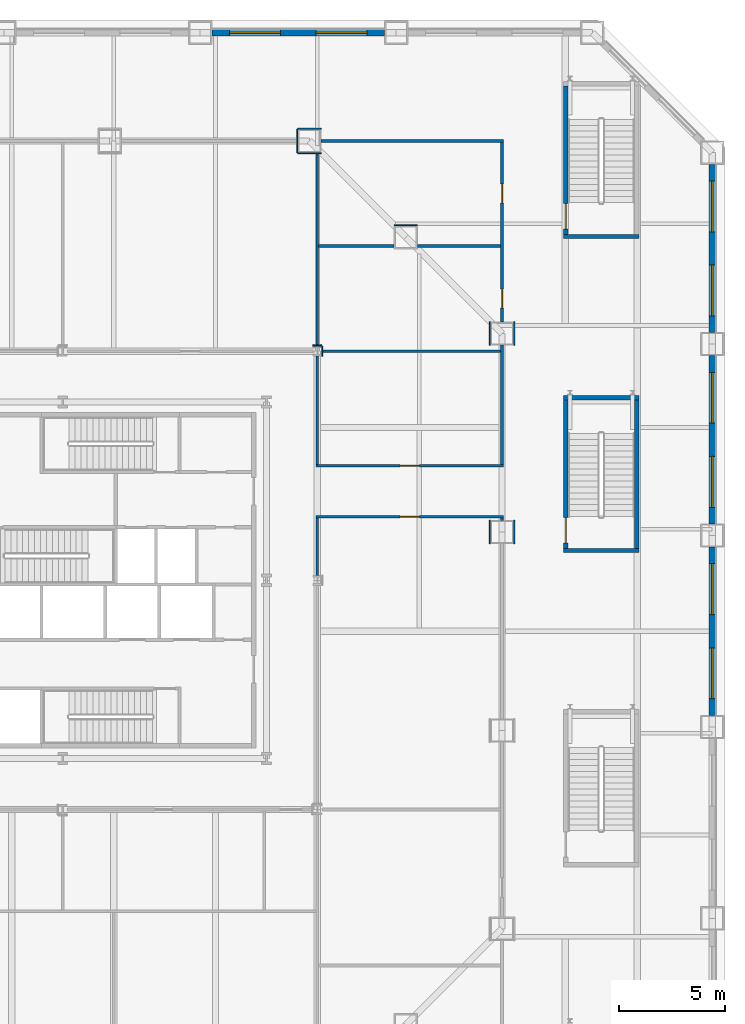
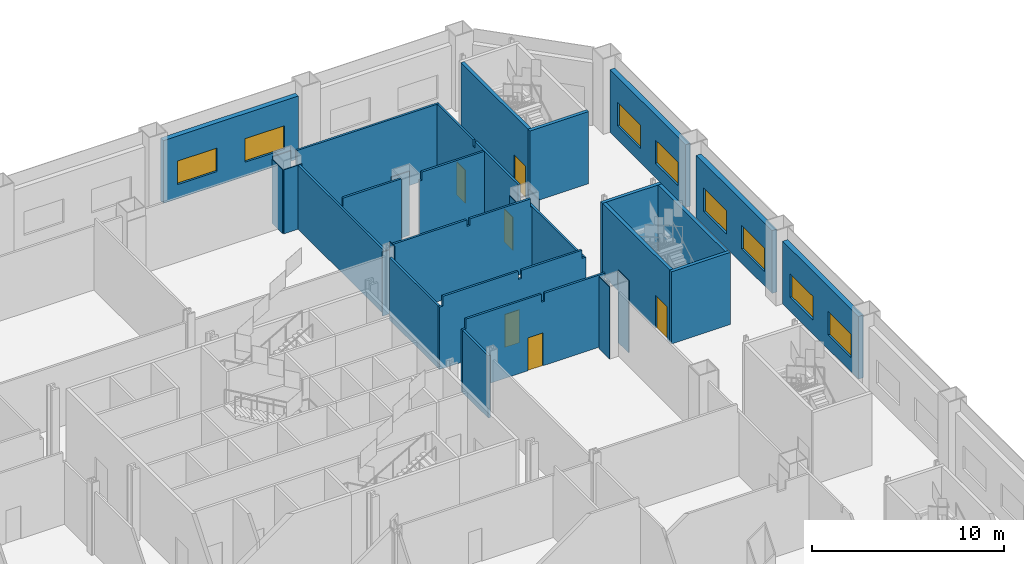
# One storey, part 18 of 26: 32 walls, 8 windows, 6 doors, 14 openings.
"""IFC4 building model written with IfcOpenShell, lengths in metres."""

from ifc_helpers import new_model, si_unit, direction, frame, frame_2d, origin, place, context, subcontext, project, spatial, polyline, rectangle, outline, extrude, material, layer, layer_set, type_object, element, fill, save


model = new_model("IFC4")

# Units and contexts
model_context = context("Model", 3, precision=1e-05, world=origin(), true_north=direction((0.0, 1.0)))
body_context = subcontext(model_context, "Body", "Model", "MODEL_VIEW")
ifc_project = project(units=[si_unit("LENGTHUNIT", "METRE"), si_unit("AREAUNIT", "SQUARE_METRE"), si_unit("VOLUMEUNIT", "CUBIC_METRE"), si_unit("PLANEANGLEUNIT", "RADIAN"), si_unit("MASSUNIT", "GRAM", prefix="KILO")], contexts=[model_context])

# Site, building, storey
site_placement = place(None, origin())
site = spatial("IfcSite", under=ifc_project, at=site_placement, CompositionType="ELEMENT")
building_placement = place(site_placement, origin())
building = spatial("IfcBuilding", under=site, at=building_placement, Name="Cairn Pilgrim Tower", CompositionType="ELEMENT")
storey_placement = place(building_placement, frame((0.0, 0.0, 25.800048828125)))
storey = spatial("IfcBuildingStorey", under=building, at=storey_placement, Name="L04", CompositionType="ELEMENT", Elevation=25.800048828125)

# Walls
ifc_material_1 = material(Name="Gypsum partition")
ifc_layer_1 = layer(ifc_material_1, 0.125)
ifc_layer_set_1 = layer_set([ifc_layer_1], Name="PARTITION 125 DRYWALL EI 60")
wall_type_1 = type_object("IfcWallType", Name="PARTITION 125 DRYWALL EI 60", PredefinedType="PARTITIONING", material=ifc_layer_set_1)
wall_1_placement = place(storey_placement, frame((19.199951171875, 2.636962890625, 0.0), z_axis=(0.0, 0.0, 1.0), x_axis=(0.0, 1.0, 0.0)))
element("IfcWall", 1, at=wall_1_placement, inside=storey, type_object=wall_type_1, Name="PARTITION W040", PredefinedType="PARTITIONING", context=body_context, shape_type="SweptSolid", body=[
    extrude(rectangle(XDim=2.700439453125, YDim=0.125, at=frame_2d((1.35009765625, 0.0))), origin(), (0.0, 0.0, 1.0), 3.97998046875),
])
wall_2_placement = place(storey_placement, frame((27.89990234375, 5.2255859375, 0.0), z_axis=(0.0, 0.0, 1.0), x_axis=(0.0, 1.0, 0.0)))
element("IfcWall", 2, at=wall_2_placement, inside=storey, type_object=wall_type_1, Name="PARTITION W044", PredefinedType="PARTITIONING", context=body_context, shape_type="SweptSolid", body=[
    extrude(rectangle(XDim=0.11181640625, YDim=0.125, at=frame_2d((0.055908203125, 0.0))), origin(), (0.0, 0.0, 1.0), 4.079833984375),
])

# Wall, opening, door
wall_3_placement = place(storey_placement, frame((19.137451171875, 5.39990234375, 0.0), z_axis=(0.0, 0.0, 1.0), x_axis=(1.0, 0.0, 0.0)))
wall_3 = element("IfcWall", 3, at=wall_3_placement, inside=storey, type_object=wall_type_1, Name="PARTITION W046", PredefinedType="PARTITIONING", context=body_context, shape_type="SweptSolid", body=[
    extrude(outline(polyline([(0.0, 0.0), (8.824951171875, 0.0), (8.824951171875, 4.079833984375), (8.612548828125, 4.079833984375), (8.610595703125, 4.599853515625), (4.96240234375, 4.599853515625), (4.96044921875, 4.079833984375), (4.762451171875, 4.079833984375), (4.760498046875, 4.599853515625), (0.21240234375, 4.599853515625), (0.21044921875, 3.97998046875), (0.0, 3.97998046875), (0.0, 0.0)])), frame((0.0, 0.0625, 0.0), z_axis=(0.0, -1.0, 0.0), x_axis=(1.0, 0.0, 0.0)), (0.0, 0.0, 1.0), 0.125),
])
opening_1_placement = place(wall_3_placement, frame((3.96240234375, 0.0, 0.0)))
opening_1 = element("IfcOpeningElement", 4, at=opening_1_placement, cuts=wall_3, Name="Opening 0415", PredefinedType="OPENING", context=body_context, shape_type="SweptSolid", body=[
    extrude(rectangle(XDim=0.89990234375, YDim=2.10009765625, at=frame_2d((0.449951171875, 1.050048828125))), frame((0.0, 0.072509765625, 0.0), z_axis=(0.0, -1.0, 0.0), x_axis=(1.0, 0.0, 0.0)), (0.0, 0.0, 1.0), 0.14501953125),
])
ifc_material_2 = material(Name="Timber door leaf", Category="wood")
door_type_1 = type_object("IfcDoorType", Name="ROOM DOOR 900x2100 FD30S", OperationType="NOTDEFINED", PredefinedType="DOOR", material=ifc_material_2)
door_1_placement = place(opening_1_placement, origin())
door_1 = element("IfcDoor", 5, at=door_1_placement, inside=storey, type_object=door_type_1, Name="DOOR 0415", OperationType="SINGLE_SWING_LEFT", OverallHeight=2.10009765625, OverallWidth=0.89990234375, PredefinedType="DOOR", context=body_context, shape_type="SweptSolid", body=[
    extrude(rectangle(XDim=0.89990234375, YDim=2.10009765625, at=frame_2d((0.449951171875, 1.050048828125))), frame((0.0, 0.02490234375, 0.0), z_axis=(0.0, -1.0, 0.0), x_axis=(1.0, 0.0, 0.0)), (0.0, 0.0, 1.0), 0.050048828125),
])
fill(opening_1, door_1)

wall_4_placement = place(storey_placement, frame((19.137451171875, 7.800048828125, 0.0), z_axis=(0.0, 0.0, 1.0), x_axis=(1.0, 0.0, 0.0)))
wall_4 = element("IfcWall", 6, at=wall_4_placement, inside=storey, type_object=wall_type_1, Name="PARTITION W048", PredefinedType="PARTITIONING", context=body_context, shape_type="SweptSolid", body=[
    extrude(outline(polyline([(0.0, 0.0), (8.824951171875, 0.0), (8.824951171875, 4.079833984375), (8.612548828125, 4.079833984375), (8.610595703125, 4.599853515625), (4.96240234375, 4.599853515625), (4.96044921875, 4.079833984375), (4.762451171875, 4.079833984375), (4.760498046875, 4.599853515625), (0.21240234375, 4.599853515625), (0.21044921875, 3.97998046875), (0.0, 3.97998046875), (0.0, 0.0)])), frame((0.0, 0.0625, 0.0), z_axis=(0.0, -1.0, 0.0), x_axis=(1.0, 0.0, 0.0)), (0.0, 0.0, 1.0), 0.125),
])
opening_2_placement = place(wall_4_placement, frame((3.96240234375, 0.0, 0.0)))
opening_2 = element("IfcOpeningElement", 7, at=opening_2_placement, cuts=wall_4, Name="Opening 0414", PredefinedType="OPENING", context=body_context, shape_type="SweptSolid", body=[
    extrude(rectangle(XDim=0.89990234375, YDim=2.10009765625, at=frame_2d((0.449951171875, 1.050048828125))), frame((0.0, 0.072509765625, 0.0), z_axis=(0.0, -1.0, 0.0), x_axis=(1.0, 0.0, 0.0)), (0.0, 0.0, 1.0), 0.14501953125),
])
door_2_placement = place(opening_2_placement, frame((0.89990234375, 0.0, 0.0), z_axis=(0.0, 0.0, 1.0), x_axis=(-1.0, 0.0, 0.0)))
door_2 = element("IfcDoor", 8, at=door_2_placement, inside=storey, type_object=door_type_1, Name="DOOR 0414", OperationType="SINGLE_SWING_RIGHT", OverallHeight=2.10009765625, OverallWidth=0.89990234375, PredefinedType="DOOR", context=body_context, shape_type="SweptSolid", body=[
    extrude(rectangle(XDim=0.89990234375, YDim=2.10009765625, at=frame_2d((0.449951171875, 1.050048828125))), frame((0.0, 0.02490234375, 0.0), z_axis=(0.0, -1.0, 0.0), x_axis=(1.0, 0.0, 0.0)), (0.0, 0.0, 1.0), 0.050048828125),
])
fill(opening_2, door_2)

# Walls
wall_5_placement = place(storey_placement, frame((19.199951171875, 7.862548828125, 0.0), z_axis=(0.0, 0.0, 1.0), x_axis=(0.0, 1.0, 0.0)))
element("IfcWall", 9, at=wall_5_placement, inside=storey, type_object=wall_type_1, Name="PARTITION W052", PredefinedType="PARTITIONING", context=body_context, shape_type="SweptSolid", body=[
    extrude(rectangle(XDim=5.100341796875, YDim=0.125, at=frame_2d((2.55029296875, 0.0))), origin(), (0.0, 0.0, 1.0), 3.97998046875),
])
wall_6_placement = place(storey_placement, frame((27.89990234375, 7.862548828125, 0.0), z_axis=(0.0, 0.0, 1.0), x_axis=(0.0, 1.0, 0.0)))
element("IfcWall", 10, at=wall_6_placement, inside=storey, type_object=wall_type_1, Name="PARTITION W053", PredefinedType="PARTITIONING", context=body_context, shape_type="SweptSolid", body=[
    extrude(rectangle(XDim=5.61474609375, YDim=0.125, at=frame_2d((2.807373046875, 0.0))), origin(), (0.0, 0.0, 1.0), 4.079833984375),
])
wall_7_placement = place(storey_placement, frame((19.412109375, 13.199951171875, 0.0), z_axis=(0.0, 0.0, 1.0), x_axis=(1.0, 0.0, 0.0)))
element("IfcWall", 11, at=wall_7_placement, inside=storey, type_object=wall_type_1, Name="PARTITION W058", PredefinedType="PARTITIONING", context=body_context, shape_type="SweptSolid", body=[
    extrude(outline(polyline([(0.0, 0.0), (8.42529296875, 0.0), (8.425537109375, 4.079833984375), (8.337890625, 4.079833984375), (8.3359375, 4.599853515625), (4.677978515625, 4.599853515625), (4.676025390625, 4.179931640625), (4.498046875, 4.179931640625), (4.49609375, 4.599853515625), (0.0, 4.599853515625), (0.0, 0.0)])), frame((0.0, 0.0625, 0.0), z_axis=(0.0, -1.0, 0.0), x_axis=(1.0, 0.0, 0.0)), (0.0, 0.0, 1.0), 0.125),
])
wall_8_placement = place(storey_placement, frame((19.199951171875, 13.43701171875, 0.0), z_axis=(0.0, 0.0, 1.0), x_axis=(0.0, 1.0, 0.0)))
element("IfcWall", 12, at=wall_8_placement, inside=storey, type_object=wall_type_1, Name="PARTITION W061", PredefinedType="PARTITIONING", context=body_context, shape_type="SweptSolid", body=[
    extrude(rectangle(XDim=9.113037109375, YDim=0.125, at=frame_2d((4.556640625, 0.0))), origin(), (0.0, 0.0, 1.0), 4.079833984375),
])

# Wall, openings, doors
wall_9_placement = place(storey_placement, frame((27.89990234375, 14.5771484375, 0.0), z_axis=(0.0, 0.0, 1.0), x_axis=(0.0, 1.0, 0.0)))
wall_9 = element("IfcWall", 13, at=wall_9_placement, inside=storey, type_object=wall_type_1, Name="PARTITION W062", PredefinedType="PARTITIONING", context=body_context, shape_type="SweptSolid", body=[
    extrude(outline(polyline([(0.0, 0.0), (8.46044921875, 0.0), (8.460205078125, 4.599853515625), (4.712890625, 4.599853515625), (4.710693359375, 4.179931640625), (4.53271484375, 4.179931640625), (4.53076171875, 4.599853515625), (0.0, 4.599853515625), (0.0, 0.0)])), frame((0.0, 0.0625, 0.0), z_axis=(0.0, -1.0, 0.0), x_axis=(1.0, 0.0, 0.0)), (0.0, 0.0, 1.0), 0.125),
])
opening_3_placement = place(wall_9_placement, frame((0.647705078125, 0.0, 0.0)))
opening_3 = element("IfcOpeningElement", 14, at=opening_3_placement, cuts=wall_9, Name="Opening 0416", PredefinedType="OPENING", context=body_context, shape_type="SweptSolid", body=[
    extrude(rectangle(XDim=0.89990234375, YDim=2.10009765625, at=frame_2d((0.449951171875, 1.050048828125))), frame((0.0, 0.072509765625, 0.0), z_axis=(0.0, -1.0, 0.0), x_axis=(1.0, 0.0, 0.0)), (0.0, 0.0, 1.0), 0.14501953125),
])
opening_4_placement = place(wall_9_placement, frame((5.597900390625, 0.0, 0.0)))
opening_4 = element("IfcOpeningElement", 15, at=opening_4_placement, cuts=wall_9, Name="Opening 0417", PredefinedType="OPENING", context=body_context, shape_type="SweptSolid", body=[
    extrude(rectangle(XDim=0.89990234375, YDim=2.10009765625, at=frame_2d((0.449951171875, 1.050048828125))), frame((0.0, 0.072509765625, 0.0), z_axis=(0.0, -1.0, 0.0), x_axis=(1.0, 0.0, 0.0)), (0.0, 0.0, 1.0), 0.14501953125),
])
door_3_placement = place(opening_3_placement, frame((0.89990234375, 0.0, 0.0), z_axis=(0.0, 0.0, 1.0), x_axis=(-1.0, 0.0, 0.0)))
door_3 = element("IfcDoor", 16, at=door_3_placement, inside=storey, type_object=door_type_1, Name="DOOR 0416", OperationType="SINGLE_SWING_RIGHT", OverallHeight=2.10009765625, OverallWidth=0.89990234375, PredefinedType="DOOR", context=body_context, shape_type="SweptSolid", body=[
    extrude(rectangle(XDim=0.89990234375, YDim=2.10009765625, at=frame_2d((0.449951171875, 1.050048828125))), frame((0.0, 0.02490234375, 0.0), z_axis=(0.0, -1.0, 0.0), x_axis=(1.0, 0.0, 0.0)), (0.0, 0.0, 1.0), 0.050048828125),
])
fill(opening_3, door_3)
door_4_placement = place(opening_4_placement, frame((0.89990234375, 0.0, 0.0), z_axis=(0.0, 0.0, 1.0), x_axis=(-1.0, 0.0, 0.0)))
door_4 = element("IfcDoor", 17, at=door_4_placement, inside=storey, type_object=door_type_1, Name="DOOR 0417", OperationType="SINGLE_SWING_LEFT", OverallHeight=2.10009765625, OverallWidth=0.89990234375, PredefinedType="DOOR", context=body_context, shape_type="SweptSolid", body=[
    extrude(rectangle(XDim=0.89990234375, YDim=2.10009765625, at=frame_2d((0.449951171875, 1.050048828125))), frame((0.0, 0.02490234375, 0.0), z_axis=(0.0, -1.0, 0.0), x_axis=(1.0, 0.0, 0.0)), (0.0, 0.0, 1.0), 0.050048828125),
])
fill(opening_4, door_4)

# Walls
wall_10_placement = place(storey_placement, frame((19.262451171875, 18.14990234375, 0.0), z_axis=(0.0, 0.0, 1.0), x_axis=(1.0, 0.0, 0.0)))
element("IfcWall", 18, at=wall_10_placement, inside=storey, type_object=wall_type_1, Name="PARTITION W063", PredefinedType="PARTITIONING", context=body_context, shape_type="SweptSolid", body=[
    extrude(outline(polyline([(0.0, 0.0), (3.55126953125, 0.0), (3.551025390625, 4.599853515625), (0.03759765625, 4.599853515625), (0.035400390625, 4.079833984375), (0.0, 4.079833984375), (0.0, 0.0)])), frame((0.0, 0.0625, 0.0), z_axis=(0.0, -1.0, 0.0), x_axis=(1.0, 0.0, 0.0)), (0.0, 0.0, 1.0), 0.125),
])
wall_11_placement = place(storey_placement, frame((23.91357421875, 18.14990234375, 0.0), z_axis=(0.0, 0.0, 1.0), x_axis=(1.0, 0.0, 0.0)))
element("IfcWall", 19, at=wall_11_placement, inside=storey, type_object=wall_type_1, Name="PARTITION W064", PredefinedType="PARTITIONING", context=body_context, shape_type="SweptSolid", body=[
    extrude(outline(polyline([(0.0, 0.0), (3.923828125, 0.0), (3.923828125, 4.599853515625), (0.13818359375, 4.599853515625), (0.13623046875, 4.079833984375), (0.0, 4.079833984375), (0.0, 0.0)])), frame((0.0, 0.0625, 0.0), z_axis=(0.0, -1.0, 0.0), x_axis=(1.0, 0.0, 0.0)), (0.0, 0.0, 1.0), 0.125),
])
wall_12_placement = place(storey_placement, frame((19.377197265625, 23.10009765625, 0.0), z_axis=(0.0, 0.0, 1.0), x_axis=(1.0, 0.0, 0.0)))
element("IfcWall", 20, at=wall_12_placement, inside=storey, type_object=wall_type_1, Name="PARTITION W074", PredefinedType="PARTITIONING", context=body_context, shape_type="SweptSolid", body=[
    extrude(rectangle(XDim=8.585205078125, YDim=0.125, at=frame_2d((4.29248046875, 0.0))), origin(), (0.0, 0.0, 1.0), 4.599853515625),
])
ifc_layer_2 = layer(ifc_material_1, 0.050048828125)
ifc_layer_set_2 = layer_set([ifc_layer_2], Name="PARTITION 50 DRYWALL EI 60")
wall_type_2 = type_object("IfcWallType", Name="PARTITION 50 DRYWALL EI 60", PredefinedType="PARTITIONING", material=ifc_layer_set_2)
for number, where, z_axis, x_axis, name in (
    (21, (27.324951171875, 4.125732421875, 0.0), (0.0, 0.0, 1.0), (0.0, 1.0, 0.0), "COLUMN CASING WC19"),
    (22, (28.47509765625, 4.125732421875, 0.0), (0.0, 0.0, 1.0), (0.0, 1.0, 0.0), "COLUMN CASING WC20"),
):
    element("IfcWall", number, at=place(storey_placement, frame(where, z_axis=z_axis, x_axis=x_axis)), inside=storey, type_object=wall_type_2, Name=name, PredefinedType="PARTITIONING", context=body_context, shape_type="SweptSolid", body=[
        extrude(rectangle(XDim=1.099853515625, YDim=0.050048828125, at=frame_2d((0.5498046875, 0.0))), origin(), (0.0, 0.0, 1.0), 4.599853515625),
    ])
wall_13_placement = place(storey_placement, frame((19.43701171875, 12.962890625, 0.0), z_axis=(0.0, 0.0, 1.0), x_axis=(0.0, 1.0, 0.0)))
element("IfcWall", 23, at=wall_13_placement, inside=storey, type_object=wall_type_2, Name="COLUMN CASING WC30", PredefinedType="PARTITIONING", context=body_context, shape_type="SweptSolid", body=[
    extrude(rectangle(XDim=0.47412109375, YDim=0.050048828125, at=frame_2d((0.237060546875, 0.0))), origin(), (0.0, 0.0, 1.0), 4.599853515625),
])
for number, where, z_axis, x_axis, name in (
    (24, (27.324951171875, 13.477294921875, 0.0), (0.0, 0.0, 1.0), (0.0, 1.0, 0.0), "COLUMN CASING WC31"),
    (25, (28.47509765625, 13.477294921875, 0.0), (0.0, 0.0, 1.0), (0.0, 1.0, 0.0), "COLUMN CASING WC32"),
):
    element("IfcWall", number, at=place(storey_placement, frame(where, z_axis=z_axis, x_axis=x_axis)), inside=storey, type_object=wall_type_2, Name=name, PredefinedType="PARTITIONING", context=body_context, shape_type="SweptSolid", body=[
        extrude(rectangle(XDim=1.099853515625, YDim=0.050048828125, at=frame_2d((0.5498046875, 0.0))), origin(), (0.0, 0.0, 1.0), 4.079833984375),
    ])
wall_14_placement = place(storey_placement, frame((18.988037109375, 13.4619140625, 0.0), z_axis=(0.0, 0.0, 1.0), x_axis=(1.0, 0.0, 0.0)))
element("IfcWall", 26, at=wall_14_placement, inside=storey, type_object=wall_type_2, Name="COLUMN CASING WC35", PredefinedType="PARTITIONING", context=body_context, shape_type="SweptSolid", body=[
    extrude(rectangle(XDim=0.424072265625, YDim=0.050048828125, at=frame_2d((0.2119140625, 0.0))), origin(), (0.0, 0.0, 1.0), 4.079833984375),
])
for number, where, z_axis, x_axis, name in (
    (27, (18.252197265625, 22.550048828125, 0.0), (0.0, 0.0, 1.0), (0.0, 1.0, 0.0), "COLUMN CASING WC37"),
    (28, (22.813720703125, 19.138671875, 0.0), (0.0, 0.0, 1.0), (1.0, 0.0, 0.0), "COLUMN CASING WC38"),
):
    element("IfcWall", number, at=place(storey_placement, frame(where, z_axis=z_axis, x_axis=x_axis)), inside=storey, type_object=wall_type_2, Name=name, PredefinedType="PARTITIONING", context=body_context, shape_type="SweptSolid", body=[
        extrude(rectangle(XDim=1.099853515625, YDim=0.050048828125, at=frame_2d((0.5498046875, 0.0))), origin(), (0.0, 0.0, 1.0), 4.079833984375),
    ])
wall_15_placement = place(storey_placement, frame((18.277099609375, 22.52490234375, 0.0), z_axis=(0.0, 0.0, 1.0), x_axis=(1.0, 0.0, 0.0)))
element("IfcWall", 29, at=wall_15_placement, inside=storey, type_object=wall_type_2, Name="COLUMN CASING WC47", PredefinedType="PARTITIONING", context=body_context, shape_type="SweptSolid", body=[
    extrude(rectangle(XDim=1.10009765625, YDim=0.050048828125, at=frame_2d((0.550048828125, 0.0))), origin(), (0.0, 0.0, 1.0), 4.079833984375),
])
wall_16_placement = place(storey_placement, frame((18.277099609375, 23.675048828125, 0.0), z_axis=(0.0, 0.0, 1.0), x_axis=(1.0, 0.0, 0.0)))
element("IfcWall", 30, at=wall_16_placement, inside=storey, type_object=wall_type_2, Name="COLUMN CASING WC48", PredefinedType="PARTITIONING", context=body_context, shape_type="SweptSolid", body=[
    extrude(rectangle(XDim=1.10009765625, YDim=0.050048828125, at=frame_2d((0.550048828125, 0.0))), origin(), (0.0, 0.0, 1.0), 4.219970703125),
])
ifc_material_3 = material(Name="Concrete C35/45", Category="concrete")
ifc_layer_3 = layer(ifc_material_3, 0.199951171875)
ifc_layer_set_3 = layer_set([ifc_layer_3], Name="PODIUM STAIR WALL 200 EI 120")
wall_type_3 = type_object("IfcWallType", Name="PODIUM STAIR WALL 200 EI 120", PredefinedType="SOLIDWALL", material=ifc_layer_set_3)
wall_17_placement = place(storey_placement, frame((30.800048828125, 3.800048828125, 0.0), z_axis=(0.0, 0.0, 1.0), x_axis=(1.0, 0.0, 0.0)))
element("IfcWall", 31, at=wall_17_placement, inside=storey, type_object=wall_type_3, Name="STAIR SHAFT WALL W041", PredefinedType="SOLIDWALL", context=body_context, shape_type="SweptSolid", body=[
    extrude(rectangle(XDim=3.550048828125, YDim=0.199951171875, at=frame_2d((1.77490234375, 0.0))), origin(), (0.0, 0.0, 1.0), 4.599853515625),
])

# Wall, opening, door
wall_18_placement = place(storey_placement, frame((30.89990234375, 3.89990234375, 0.0), z_axis=(0.0, 0.0, 1.0), x_axis=(0.0, 1.0, 0.0)))
wall_18 = element("IfcWall", 32, at=wall_18_placement, inside=storey, type_object=wall_type_3, Name="STAIR SHAFT WALL W042", PredefinedType="SOLIDWALL", context=body_context, shape_type="SweptSolid", body=[
    extrude(rectangle(XDim=7.0, YDim=0.199951171875, at=frame_2d((3.5, 0.0))), origin(), (0.0, 0.0, 1.0), 4.599853515625),
])
opening_5_placement = place(wall_18_placement, frame((0.25, 0.0, 0.0)))
opening_5 = element("IfcOpeningElement", 33, at=opening_5_placement, cuts=wall_18, Name="Opening 0426", PredefinedType="OPENING", context=body_context, shape_type="SweptSolid", body=[
    extrude(rectangle(XDim=1.199951171875, YDim=2.10009765625, at=frame_2d((0.60009765625, 1.050048828125))), frame((0.0, 0.10986328125, 0.0), z_axis=(0.0, -1.0, 0.0), x_axis=(1.0, 0.0, 0.0)), (0.0, 0.0, 1.0), 0.219970703125),
])
ifc_material_4 = material(Name="Steel-faced fire door leaf", Category="steel")
door_type_2 = type_object("IfcDoorType", Name="FIRE DOOR 1200x2100 FD60S", OperationType="NOTDEFINED", PredefinedType="DOOR", material=ifc_material_4)
door_5_placement = place(opening_5_placement, frame((1.199951171875, 0.0, 0.0), z_axis=(0.0, 0.0, 1.0), x_axis=(-1.0, 0.0, 0.0)))
door_5 = element("IfcDoor", 34, at=door_5_placement, inside=storey, type_object=door_type_2, Name="DOOR 0426", OperationType="SINGLE_SWING_LEFT", OverallHeight=2.10009765625, OverallWidth=1.199951171875, PredefinedType="DOOR", context=body_context, shape_type="SweptSolid", body=[
    extrude(rectangle(XDim=1.199951171875, YDim=2.10009765625, at=frame_2d((0.60009765625, 1.050048828125))), frame((0.0, 0.02490234375, 0.0), z_axis=(0.0, -1.0, 0.0), x_axis=(1.0, 0.0, 0.0)), (0.0, 0.0, 1.0), 0.050048828125),
])
fill(opening_5, door_5)

# Walls
wall_19_placement = place(storey_placement, frame((34.25, 3.89990234375, 0.0), z_axis=(0.0, 0.0, 1.0), x_axis=(0.0, 1.0, 0.0)))
element("IfcWall", 35, at=wall_19_placement, inside=storey, type_object=wall_type_3, Name="STAIR SHAFT WALL W043", PredefinedType="SOLIDWALL", context=body_context, shape_type="SweptSolid", body=[
    extrude(rectangle(XDim=7.0, YDim=0.199951171875, at=frame_2d((3.5, 0.0))), origin(), (0.0, 0.0, 1.0), 4.599853515625),
])
for number, where, z_axis, x_axis, name in (
    (36, (30.800048828125, 11.0, 0.0), (0.0, 0.0, 1.0), (1.0, 0.0, 0.0), "STAIR SHAFT WALL W055"),
    (37, (30.800048828125, 18.60009765625, 0.0), (0.0, 0.0, 1.0), (1.0, 0.0, 0.0), "STAIR SHAFT WALL W065"),
):
    element("IfcWall", number, at=place(storey_placement, frame(where, z_axis=z_axis, x_axis=x_axis)), inside=storey, type_object=wall_type_3, Name=name, PredefinedType="SOLIDWALL", context=body_context, shape_type="SweptSolid", body=[
        extrude(rectangle(XDim=3.550048828125, YDim=0.199951171875, at=frame_2d((1.77490234375, 0.0))), origin(), (0.0, 0.0, 1.0), 4.599853515625),
    ])

# Wall, opening, door
wall_20_placement = place(storey_placement, frame((30.89990234375, 18.699951171875, 0.0), z_axis=(0.0, 0.0, 1.0), x_axis=(0.0, 1.0, 0.0)))
wall_20 = element("IfcWall", 38, at=wall_20_placement, inside=storey, type_object=wall_type_3, Name="STAIR SHAFT WALL W066", PredefinedType="SOLIDWALL", context=body_context, shape_type="SweptSolid", body=[
    extrude(rectangle(XDim=7.0, YDim=0.199951171875, at=frame_2d((3.5, 0.0))), origin(), (0.0, 0.0, 1.0), 4.599853515625),
])
opening_6_placement = place(wall_20_placement, frame((0.25, 0.0, 0.0)))
opening_6 = element("IfcOpeningElement", 39, at=opening_6_placement, cuts=wall_20, Name="Opening 0427", PredefinedType="OPENING", context=body_context, shape_type="SweptSolid", body=[
    extrude(rectangle(XDim=1.199951171875, YDim=2.10009765625, at=frame_2d((0.60009765625, 1.050048828125))), frame((0.0, 0.10986328125, 0.0), z_axis=(0.0, -1.0, 0.0), x_axis=(1.0, 0.0, 0.0)), (0.0, 0.0, 1.0), 0.219970703125),
])
door_6_placement = place(opening_6_placement, frame((1.199951171875, 0.0, 0.0), z_axis=(0.0, 0.0, 1.0), x_axis=(-1.0, 0.0, 0.0)))
door_6 = element("IfcDoor", 40, at=door_6_placement, inside=storey, type_object=door_type_2, Name="DOOR 0427", OperationType="SINGLE_SWING_RIGHT", OverallHeight=2.10009765625, OverallWidth=1.199951171875, PredefinedType="DOOR", context=body_context, shape_type="SweptSolid", body=[
    extrude(rectangle(XDim=1.199951171875, YDim=2.10009765625, at=frame_2d((0.60009765625, 1.050048828125))), frame((0.0, 0.02490234375, 0.0), z_axis=(0.0, -1.0, 0.0), x_axis=(1.0, 0.0, 0.0)), (0.0, 0.0, 1.0), 0.050048828125),
])
fill(opening_6, door_6)

# Wall, openings, windows
ifc_material_5 = material(Name="Concrete C35/45 backup wall with bronze aluminium cladding", Category="concrete")
ifc_layer_4 = layer(ifc_material_5, 0.300048828125)
ifc_layer_set_4 = layer_set([ifc_layer_4], Name="PODIUM WALL 300 BRONZE-CLAD")
wall_type_4 = type_object("IfcWallType", Name="PODIUM WALL 300 BRONZE-CLAD", PredefinedType="SOLIDWALL", material=ifc_layer_set_4)
wall_21_placement = place(storey_placement, frame((37.800048828125, -3.960205078125, 0.0), z_axis=(0.0, 0.0, 1.0), x_axis=(0.0, 1.0, 0.0)))
wall_21 = element("IfcWall", 41, at=wall_21_placement, inside=storey, type_object=wall_type_4, Name="PODIUM EXTERNAL WALL E3-E4", PredefinedType="SOLIDWALL", context=body_context, shape_type="SweptSolid", body=[
    extrude(rectangle(XDim=7.92041015625, YDim=0.300048828125, at=frame_2d((3.960205078125, 0.0))), origin(), (0.0, 0.0, 1.0), 4.0),
])
opening_7_placement = place(wall_21_placement, frame((0.780029296875, 0.0, 0.89990234375)))
opening_7 = element("IfcOpeningElement", 42, at=opening_7_placement, cuts=wall_21, Name="Opening PW15", PredefinedType="OPENING", context=body_context, shape_type="SweptSolid", body=[
    extrude(rectangle(XDim=2.39990234375, YDim=1.5, at=frame_2d((1.199951171875, 0.75))), frame((0.0, 0.16015625, 0.0), z_axis=(0.0, -1.0, 0.0), x_axis=(1.0, 0.0, 0.0)), (0.0, 0.0, 1.0), 0.320068359375),
])
opening_8_placement = place(wall_21_placement, frame((4.740478515625, 0.0, 0.89990234375)))
opening_8 = element("IfcOpeningElement", 43, at=opening_8_placement, cuts=wall_21, Name="Opening PW15", PredefinedType="OPENING", context=body_context, shape_type="SweptSolid", body=[
    extrude(rectangle(XDim=2.39990234375, YDim=1.5, at=frame_2d((1.199951171875, 0.75))), frame((0.0, 0.16015625, 0.0), z_axis=(0.0, -1.0, 0.0), x_axis=(1.0, 0.0, 0.0)), (0.0, 0.0, 1.0), 0.320068359375),
])
ifc_material_6 = material(Name="Bronze anodised aluminium frame with tinted low-E glass", Category="aluminium")
window_type = type_object("IfcWindowType", Name="PODIUM FIXED WINDOW 2400x1500", PartitioningType="SINGLE_PANEL", PredefinedType="WINDOW", material=ifc_material_6)
window_1_placement = place(opening_7_placement, origin())
window_1 = element("IfcWindow", 44, at=window_1_placement, inside=storey, type_object=window_type, Name="PODIUM WINDOW", OverallHeight=1.5, OverallWidth=2.39990234375, PartitioningType="SINGLE_PANEL", PredefinedType="WINDOW", context=body_context, shape_type="SweptSolid", body=[
    extrude(rectangle(XDim=2.39990234375, YDim=1.5, at=frame_2d((1.199951171875, 0.75))), frame((0.0, 0.030029296875, 0.0), z_axis=(0.0, -1.0, 0.0), x_axis=(1.0, 0.0, 0.0)), (0.0, 0.0, 1.0), 0.06005859375),
])
fill(opening_7, window_1)
window_2_placement = place(opening_8_placement, origin())
window_2 = element("IfcWindow", 45, at=window_2_placement, inside=storey, type_object=window_type, Name="PODIUM WINDOW", OverallHeight=1.5, OverallWidth=2.39990234375, PartitioningType="SINGLE_PANEL", PredefinedType="WINDOW", context=body_context, shape_type="SweptSolid", body=[
    extrude(rectangle(XDim=2.39990234375, YDim=1.5, at=frame_2d((1.199951171875, 0.75))), frame((0.0, 0.030029296875, 0.0), z_axis=(0.0, -1.0, 0.0), x_axis=(1.0, 0.0, 0.0)), (0.0, 0.0, 1.0), 0.06005859375),
])
fill(opening_8, window_2)

wall_22_placement = place(storey_placement, frame((37.800048828125, 5.060302734375, 0.0), z_axis=(0.0, 0.0, 1.0), x_axis=(0.0, 1.0, 0.0)))
wall_22 = element("IfcWall", 46, at=wall_22_placement, inside=storey, type_object=wall_type_4, Name="PODIUM EXTERNAL WALL E4-E5", PredefinedType="SOLIDWALL", context=body_context, shape_type="SweptSolid", body=[
    extrude(rectangle(XDim=7.920654296875, YDim=0.300048828125, at=frame_2d((3.96044921875, 0.0))), origin(), (0.0, 0.0, 1.0), 4.0),
])
opening_9_placement = place(wall_22_placement, frame((0.780029296875, 0.0, 0.89990234375)))
opening_9 = element("IfcOpeningElement", 47, at=opening_9_placement, cuts=wall_22, Name="Opening PW15", PredefinedType="OPENING", context=body_context, shape_type="SweptSolid", body=[
    extrude(rectangle(XDim=2.39990234375, YDim=1.5, at=frame_2d((1.199951171875, 0.75))), frame((0.0, 0.16015625, 0.0), z_axis=(0.0, -1.0, 0.0), x_axis=(1.0, 0.0, 0.0)), (0.0, 0.0, 1.0), 0.320068359375),
])
opening_10_placement = place(wall_22_placement, frame((4.740478515625, 0.0, 0.89990234375)))
opening_10 = element("IfcOpeningElement", 48, at=opening_10_placement, cuts=wall_22, Name="Opening PW15", PredefinedType="OPENING", context=body_context, shape_type="SweptSolid", body=[
    extrude(rectangle(XDim=2.39990234375, YDim=1.5, at=frame_2d((1.199951171875, 0.75))), frame((0.0, 0.16015625, 0.0), z_axis=(0.0, -1.0, 0.0), x_axis=(1.0, 0.0, 0.0)), (0.0, 0.0, 1.0), 0.320068359375),
])
window_3_placement = place(opening_9_placement, origin())
window_3 = element("IfcWindow", 49, at=window_3_placement, inside=storey, type_object=window_type, Name="PODIUM WINDOW", OverallHeight=1.5, OverallWidth=2.39990234375, PartitioningType="SINGLE_PANEL", PredefinedType="WINDOW", context=body_context, shape_type="SweptSolid", body=[
    extrude(rectangle(XDim=2.39990234375, YDim=1.5, at=frame_2d((1.199951171875, 0.75))), frame((0.0, 0.030029296875, 0.0), z_axis=(0.0, -1.0, 0.0), x_axis=(1.0, 0.0, 0.0)), (0.0, 0.0, 1.0), 0.06005859375),
])
fill(opening_9, window_3)
window_4_placement = place(opening_10_placement, origin())
window_4 = element("IfcWindow", 50, at=window_4_placement, inside=storey, type_object=window_type, Name="PODIUM WINDOW", OverallHeight=1.5, OverallWidth=2.39990234375, PartitioningType="SINGLE_PANEL", PredefinedType="WINDOW", context=body_context, shape_type="SweptSolid", body=[
    extrude(rectangle(XDim=2.39990234375, YDim=1.5, at=frame_2d((1.199951171875, 0.75))), frame((0.0, 0.030029296875, 0.0), z_axis=(0.0, -1.0, 0.0), x_axis=(1.0, 0.0, 0.0)), (0.0, 0.0, 1.0), 0.06005859375),
])
fill(opening_10, window_4)

wall_23_placement = place(storey_placement, frame((37.800048828125, 14.080810546875, 0.0), z_axis=(0.0, 0.0, 1.0), x_axis=(0.0, 1.0, 0.0)))
wall_23 = element("IfcWall", 51, at=wall_23_placement, inside=storey, type_object=wall_type_4, Name="PODIUM EXTERNAL WALL E5-NE1", PredefinedType="SOLIDWALL", context=body_context, shape_type="SweptSolid", body=[
    extrude(rectangle(XDim=7.920654296875, YDim=0.300048828125, at=frame_2d((3.96044921875, 0.0))), origin(), (0.0, 0.0, 1.0), 4.0),
])
opening_11_placement = place(wall_23_placement, frame((0.780029296875, 0.0, 0.89990234375)))
opening_11 = element("IfcOpeningElement", 52, at=opening_11_placement, cuts=wall_23, Name="Opening PW15", PredefinedType="OPENING", context=body_context, shape_type="SweptSolid", body=[
    extrude(rectangle(XDim=2.39990234375, YDim=1.5, at=frame_2d((1.199951171875, 0.75))), frame((0.0, 0.16015625, 0.0), z_axis=(0.0, -1.0, 0.0), x_axis=(1.0, 0.0, 0.0)), (0.0, 0.0, 1.0), 0.320068359375),
])
opening_12_placement = place(wall_23_placement, frame((4.740478515625, 0.0, 0.89990234375)))
opening_12 = element("IfcOpeningElement", 53, at=opening_12_placement, cuts=wall_23, Name="Opening PW15", PredefinedType="OPENING", context=body_context, shape_type="SweptSolid", body=[
    extrude(rectangle(XDim=2.39990234375, YDim=1.5, at=frame_2d((1.199951171875, 0.75))), frame((0.0, 0.16015625, 0.0), z_axis=(0.0, -1.0, 0.0), x_axis=(1.0, 0.0, 0.0)), (0.0, 0.0, 1.0), 0.320068359375),
])
window_5_placement = place(opening_11_placement, origin())
window_5 = element("IfcWindow", 54, at=window_5_placement, inside=storey, type_object=window_type, Name="PODIUM WINDOW", OverallHeight=1.5, OverallWidth=2.39990234375, PartitioningType="SINGLE_PANEL", PredefinedType="WINDOW", context=body_context, shape_type="SweptSolid", body=[
    extrude(rectangle(XDim=2.39990234375, YDim=1.5, at=frame_2d((1.199951171875, 0.75))), frame((0.0, 0.030029296875, 0.0), z_axis=(0.0, -1.0, 0.0), x_axis=(1.0, 0.0, 0.0)), (0.0, 0.0, 1.0), 0.06005859375),
])
fill(opening_11, window_5)
window_6_placement = place(opening_12_placement, origin())
window_6 = element("IfcWindow", 55, at=window_6_placement, inside=storey, type_object=window_type, Name="PODIUM WINDOW", OverallHeight=1.5, OverallWidth=2.39990234375, PartitioningType="SINGLE_PANEL", PredefinedType="WINDOW", context=body_context, shape_type="SweptSolid", body=[
    extrude(rectangle(XDim=2.39990234375, YDim=1.5, at=frame_2d((1.199951171875, 0.75))), frame((0.0, 0.030029296875, 0.0), z_axis=(0.0, -1.0, 0.0), x_axis=(1.0, 0.0, 0.0)), (0.0, 0.0, 1.0), 0.06005859375),
])
fill(opening_12, window_6)

wall_24_placement = place(storey_placement, frame((22.363525390625, 28.199951171875, 0.0), z_axis=(0.0, 0.0, 1.0), x_axis=(-1.0, 0.0, 0.0)))
wall_24 = element("IfcWall", 56, at=wall_24_placement, inside=storey, type_object=wall_type_4, Name="PODIUM EXTERNAL WALL N2-N3", PredefinedType="SOLIDWALL", context=body_context, shape_type="SweptSolid", body=[
    extrude(rectangle(XDim=8.137939453125, YDim=0.300048828125, at=frame_2d((4.06884765625, 0.0))), origin(), (0.0, 0.0, 1.0), 4.0),
])
opening_13_placement = place(wall_24_placement, frame((0.83447265625, 0.0, 0.89990234375)))
opening_13 = element("IfcOpeningElement", 57, at=opening_13_placement, cuts=wall_24, Name="Opening PW15", PredefinedType="OPENING", context=body_context, shape_type="SweptSolid", body=[
    extrude(rectangle(XDim=2.39990234375, YDim=1.5, at=frame_2d((1.199951171875, 0.75))), frame((0.0, 0.16015625, 0.0), z_axis=(0.0, -1.0, 0.0), x_axis=(1.0, 0.0, 0.0)), (0.0, 0.0, 1.0), 0.320068359375),
])
opening_14_placement = place(wall_24_placement, frame((4.9033203125, 0.0, 0.89990234375)))
opening_14 = element("IfcOpeningElement", 58, at=opening_14_placement, cuts=wall_24, Name="Opening PW15", PredefinedType="OPENING", context=body_context, shape_type="SweptSolid", body=[
    extrude(rectangle(XDim=2.39990234375, YDim=1.5, at=frame_2d((1.199951171875, 0.75))), frame((0.0, 0.16015625, 0.0), z_axis=(0.0, -1.0, 0.0), x_axis=(1.0, 0.0, 0.0)), (0.0, 0.0, 1.0), 0.320068359375),
])
window_7_placement = place(opening_13_placement, origin())
window_7 = element("IfcWindow", 59, at=window_7_placement, inside=storey, type_object=window_type, Name="PODIUM WINDOW", OverallHeight=1.5, OverallWidth=2.39990234375, PartitioningType="SINGLE_PANEL", PredefinedType="WINDOW", context=body_context, shape_type="SweptSolid", body=[
    extrude(rectangle(XDim=2.39990234375, YDim=1.5, at=frame_2d((1.199951171875, 0.75))), frame((0.0, 0.030029296875, 0.0), z_axis=(0.0, -1.0, 0.0), x_axis=(1.0, 0.0, 0.0)), (0.0, 0.0, 1.0), 0.06005859375),
])
fill(opening_13, window_7)
window_8_placement = place(opening_14_placement, origin())
window_8 = element("IfcWindow", 60, at=window_8_placement, inside=storey, type_object=window_type, Name="PODIUM WINDOW", OverallHeight=1.5, OverallWidth=2.39990234375, PartitioningType="SINGLE_PANEL", PredefinedType="WINDOW", context=body_context, shape_type="SweptSolid", body=[
    extrude(rectangle(XDim=2.39990234375, YDim=1.5, at=frame_2d((1.199951171875, 0.75))), frame((0.0, 0.030029296875, 0.0), z_axis=(0.0, -1.0, 0.0), x_axis=(1.0, 0.0, 0.0)), (0.0, 0.0, 1.0), 0.06005859375),
])
fill(opening_14, window_8)

save(model, "model.ifc")
